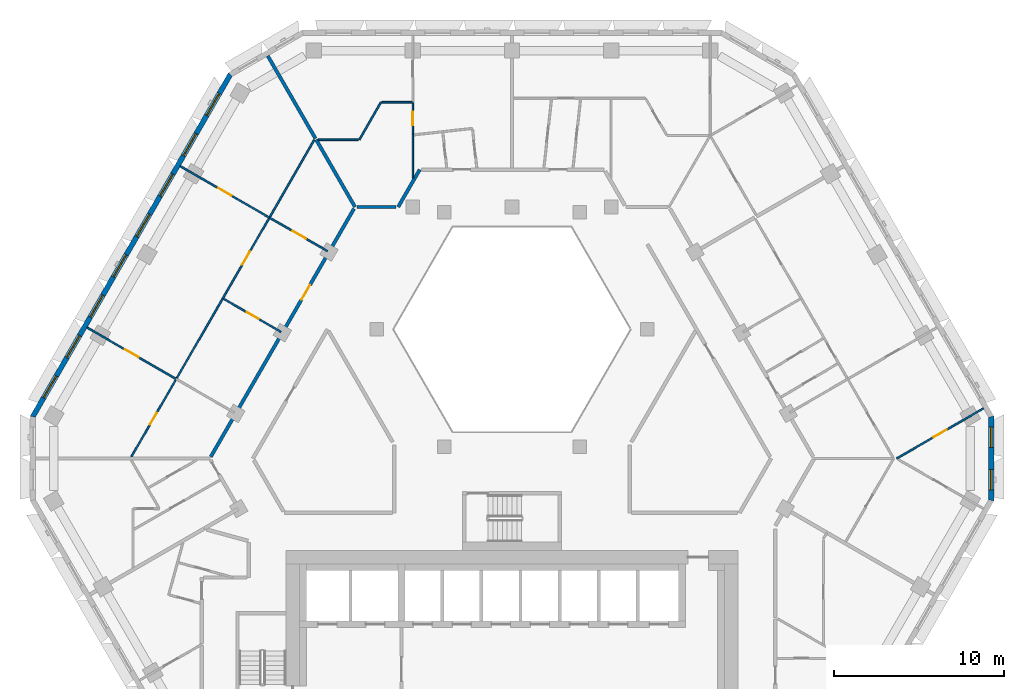
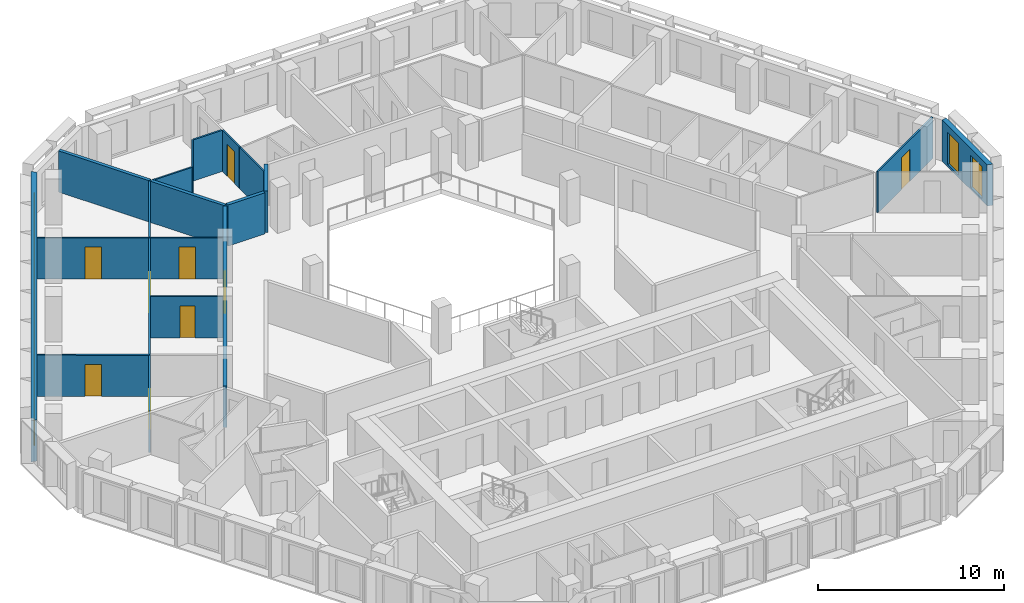
# One storey, part 7 of 17: 18 walls, 10 windows, 9 doors, 19 openings.
"""IFC4 building model written with IfcOpenShell, lengths in metres."""

from ifc_helpers import new_model, si_unit, direction, frame, frame_2d, origin, place, context, subcontext, project, spatial, polyline, rectangle, outline, extrude, material, layer, layer_set, type_object, element, fill, save


model = new_model("IFC4")

# Units and contexts
model_context = context("Model", 3, precision=1e-05, world=origin(), true_north=direction((0.0, 1.0)))
body_context = subcontext(model_context, "Body", "Model", "MODEL_VIEW")
ifc_project = project(units=[si_unit("LENGTHUNIT", "METRE"), si_unit("AREAUNIT", "SQUARE_METRE"), si_unit("VOLUMEUNIT", "CUBIC_METRE"), si_unit("PLANEANGLEUNIT", "RADIAN"), si_unit("MASSUNIT", "GRAM", prefix="KILO")], contexts=[model_context])

# Site, building, storey
site_placement = place(None, origin())
site = spatial("IfcSite", under=ifc_project, at=site_placement, CompositionType="ELEMENT")
building_placement = place(site_placement, origin())
building = spatial("IfcBuilding", under=site, at=building_placement, Name="Beryl Residences", CompositionType="ELEMENT")
storey_placement = place(building_placement, frame((0.0, 0.0, 144.60009765625)))
storey = spatial("IfcBuildingStorey", under=building, at=storey_placement, Name="L44", CompositionType="ELEMENT", Elevation=144.60009765625)

# Wall, openings, windows
ifc_material_1 = material(Name="Composite metal panel with mineral wool insulation")
ifc_layer_1 = layer(ifc_material_1, 0.300048828125)
ifc_layer_set_1 = layer_set([ifc_layer_1], Name="ES1 pale metal composite panel wall 300 mm")
wall_type_1 = type_object("IfcWallType", Name="ES1 pale metal composite panel wall 300 mm", PredefinedType="SOLIDWALL", material=ifc_layer_set_1)
wall_1_placement = place(storey_placement, frame((-16.554931640625, 23.02490234375, 0.0), z_axis=(0.0, 0.0, 1.0), x_axis=(-0.500020536353, -0.866013546791, 0.0)))
wall_1 = element("IfcWall", 1, at=wall_1_placement, inside=storey, type_object=wall_type_1, Name="ES1 external wall L44 NW", PredefinedType="SOLIDWALL", context=body_context, shape_type="SweptSolid", body=[
    extrude(outline(polyline([(0.0, -0.14990234375), (23.3251953125, -0.14990234375), (23.244873046875, 0.14990234375), (0.080322265625, 0.14990234375), (0.0, -0.14990234375)])), origin(), (0.0, 0.0, 1.0), 2.699951171875),
])
opening_1_placement = place(wall_1_placement, frame((1.31396484375, 0.0, 0.14990234375)))
opening_1 = element("IfcOpeningElement", 2, at=opening_1_placement, cuts=wall_1, Name="Opening W1", PredefinedType="OPENING", context=body_context, shape_type="SweptSolid", body=[
    extrude(rectangle(XDim=1.5, YDim=2.10009765625, at=frame_2d((0.75, 1.050048828125))), frame((0.0, 0.159912109375, 0.0), z_axis=(0.0, -1.0, 0.0), x_axis=(1.0, 0.0, 0.0)), (0.0, 0.0, 1.0), 0.320068359375),
])
opening_2_placement = place(wall_1_placement, frame((4.055908203125, 0.0, 0.14990234375)))
opening_2 = element("IfcOpeningElement", 3, at=opening_2_placement, cuts=wall_1, Name="Opening W1", PredefinedType="OPENING", context=body_context, shape_type="SweptSolid", body=[
    extrude(rectangle(XDim=1.5, YDim=2.10009765625, at=frame_2d((0.75, 1.050048828125))), frame((0.0, 0.159912109375, 0.0), z_axis=(0.0, -1.0, 0.0), x_axis=(1.0, 0.0, 0.0)), (0.0, 0.0, 1.0), 0.320068359375),
])
opening_3_placement = place(wall_1_placement, frame((6.799072265625, 0.0, 0.14990234375)))
opening_3 = element("IfcOpeningElement", 4, at=opening_3_placement, cuts=wall_1, Name="Opening W1", PredefinedType="OPENING", context=body_context, shape_type="SweptSolid", body=[
    extrude(rectangle(XDim=1.5, YDim=2.10009765625, at=frame_2d((0.75, 1.050048828125))), frame((0.0, 0.159912109375, 0.0), z_axis=(0.0, -1.0, 0.0), x_axis=(1.0, 0.0, 0.0)), (0.0, 0.0, 1.0), 0.320068359375),
])
opening_4_placement = place(wall_1_placement, frame((9.541015625, 0.0, 0.14990234375)))
opening_4 = element("IfcOpeningElement", 5, at=opening_4_placement, cuts=wall_1, Name="Opening W1", PredefinedType="OPENING", context=body_context, shape_type="SweptSolid", body=[
    extrude(rectangle(XDim=1.5, YDim=2.10009765625, at=frame_2d((0.75, 1.050048828125))), frame((0.0, 0.159912109375, 0.0), z_axis=(0.0, -1.0, 0.0), x_axis=(1.0, 0.0, 0.0)), (0.0, 0.0, 1.0), 0.320068359375),
])
opening_5_placement = place(wall_1_placement, frame((12.284912109375, 0.0, 0.14990234375)))
opening_5 = element("IfcOpeningElement", 6, at=opening_5_placement, cuts=wall_1, Name="Opening W1", PredefinedType="OPENING", context=body_context, shape_type="SweptSolid", body=[
    extrude(rectangle(XDim=1.5, YDim=2.10009765625, at=frame_2d((0.75, 1.050048828125))), frame((0.0, 0.159912109375, 0.0), z_axis=(0.0, -1.0, 0.0), x_axis=(1.0, 0.0, 0.0)), (0.0, 0.0, 1.0), 0.320068359375),
])
opening_6_placement = place(wall_1_placement, frame((15.027099609375, 0.0, 0.14990234375)))
opening_6 = element("IfcOpeningElement", 7, at=opening_6_placement, cuts=wall_1, Name="Opening W1", PredefinedType="OPENING", context=body_context, shape_type="SweptSolid", body=[
    extrude(rectangle(XDim=1.5, YDim=2.10009765625, at=frame_2d((0.75, 1.050048828125))), frame((0.0, 0.159912109375, 0.0), z_axis=(0.0, -1.0, 0.0), x_axis=(1.0, 0.0, 0.0)), (0.0, 0.0, 1.0), 0.320068359375),
])
opening_7_placement = place(wall_1_placement, frame((17.76904296875, 0.0, 0.14990234375)))
opening_7 = element("IfcOpeningElement", 8, at=opening_7_placement, cuts=wall_1, Name="Opening W1", PredefinedType="OPENING", context=body_context, shape_type="SweptSolid", body=[
    extrude(rectangle(XDim=1.5, YDim=2.10009765625, at=frame_2d((0.75, 1.050048828125))), frame((0.0, 0.159912109375, 0.0), z_axis=(0.0, -1.0, 0.0), x_axis=(1.0, 0.0, 0.0)), (0.0, 0.0, 1.0), 0.320068359375),
])
opening_8_placement = place(wall_1_placement, frame((20.511962890625, 0.0, 0.14990234375)))
opening_8 = element("IfcOpeningElement", 9, at=opening_8_placement, cuts=wall_1, Name="Opening W1", PredefinedType="OPENING", context=body_context, shape_type="SweptSolid", body=[
    extrude(rectangle(XDim=1.5, YDim=2.10009765625, at=frame_2d((0.75, 1.050048828125))), frame((0.0, 0.159912109375, 0.0), z_axis=(0.0, -1.0, 0.0), x_axis=(1.0, 0.0, 0.0)), (0.0, 0.0, 1.0), 0.320068359375),
])
ifc_material_2 = material(Name="Aluminium and clear glass", Category="aluminium")
window_type_1 = type_object("IfcWindowType", Name="W1 cell window 1500 x 2100 mm", PartitioningType="SINGLE_PANEL", PredefinedType="WINDOW", material=ifc_material_2)
window_1_placement = place(opening_1_placement, origin())
window_1 = element("IfcWindow", 10, at=window_1_placement, inside=storey, type_object=window_type_1, Name="W1 window L44 NW 1", OverallHeight=2.10009765625, OverallWidth=1.5, PartitioningType="SINGLE_PANEL", PredefinedType="WINDOW", context=body_context, shape_type="SweptSolid", body=[
    extrude(rectangle(XDim=1.5, YDim=2.10009765625, at=frame_2d((0.75, 1.050048828125))), frame((0.0, 0.030029296875, 0.0), z_axis=(0.0, -1.0, 0.0), x_axis=(1.0, 0.0, 0.0)), (0.0, 0.0, 1.0), 0.06005859375),
])
fill(opening_1, window_1)
window_2_placement = place(opening_2_placement, origin())
window_2 = element("IfcWindow", 11, at=window_2_placement, inside=storey, type_object=window_type_1, Name="W1 window L44 NW 2", OverallHeight=2.10009765625, OverallWidth=1.5, PartitioningType="SINGLE_PANEL", PredefinedType="WINDOW", context=body_context, shape_type="SweptSolid", body=[
    extrude(rectangle(XDim=1.5, YDim=2.10009765625, at=frame_2d((0.75, 1.050048828125))), frame((0.0, 0.030029296875, 0.0), z_axis=(0.0, -1.0, 0.0), x_axis=(1.0, 0.0, 0.0)), (0.0, 0.0, 1.0), 0.06005859375),
])
fill(opening_2, window_2)
window_3_placement = place(opening_3_placement, origin())
window_3 = element("IfcWindow", 12, at=window_3_placement, inside=storey, type_object=window_type_1, Name="W1 window L44 NW 3", OverallHeight=2.10009765625, OverallWidth=1.5, PartitioningType="SINGLE_PANEL", PredefinedType="WINDOW", context=body_context, shape_type="SweptSolid", body=[
    extrude(rectangle(XDim=1.5, YDim=2.10009765625, at=frame_2d((0.75, 1.050048828125))), frame((0.0, 0.030029296875, 0.0), z_axis=(0.0, -1.0, 0.0), x_axis=(1.0, 0.0, 0.0)), (0.0, 0.0, 1.0), 0.06005859375),
])
fill(opening_3, window_3)
window_4_placement = place(opening_4_placement, origin())
window_4 = element("IfcWindow", 13, at=window_4_placement, inside=storey, type_object=window_type_1, Name="W1 window L44 NW 4", OverallHeight=2.10009765625, OverallWidth=1.5, PartitioningType="SINGLE_PANEL", PredefinedType="WINDOW", context=body_context, shape_type="SweptSolid", body=[
    extrude(rectangle(XDim=1.5, YDim=2.10009765625, at=frame_2d((0.75, 1.050048828125))), frame((0.0, 0.030029296875, 0.0), z_axis=(0.0, -1.0, 0.0), x_axis=(1.0, 0.0, 0.0)), (0.0, 0.0, 1.0), 0.06005859375),
])
fill(opening_4, window_4)
window_5_placement = place(opening_5_placement, origin())
window_5 = element("IfcWindow", 14, at=window_5_placement, inside=storey, type_object=window_type_1, Name="W1 window L44 NW 5", OverallHeight=2.10009765625, OverallWidth=1.5, PartitioningType="SINGLE_PANEL", PredefinedType="WINDOW", context=body_context, shape_type="SweptSolid", body=[
    extrude(rectangle(XDim=1.5, YDim=2.10009765625, at=frame_2d((0.75, 1.050048828125))), frame((0.0, 0.030029296875, 0.0), z_axis=(0.0, -1.0, 0.0), x_axis=(1.0, 0.0, 0.0)), (0.0, 0.0, 1.0), 0.06005859375),
])
fill(opening_5, window_5)
window_6_placement = place(opening_6_placement, origin())
window_6 = element("IfcWindow", 15, at=window_6_placement, inside=storey, type_object=window_type_1, Name="W1 window L44 NW 6", OverallHeight=2.10009765625, OverallWidth=1.5, PartitioningType="SINGLE_PANEL", PredefinedType="WINDOW", context=body_context, shape_type="SweptSolid", body=[
    extrude(rectangle(XDim=1.5, YDim=2.10009765625, at=frame_2d((0.75, 1.050048828125))), frame((0.0, 0.030029296875, 0.0), z_axis=(0.0, -1.0, 0.0), x_axis=(1.0, 0.0, 0.0)), (0.0, 0.0, 1.0), 0.06005859375),
])
fill(opening_6, window_6)
window_7_placement = place(opening_7_placement, origin())
window_7 = element("IfcWindow", 16, at=window_7_placement, inside=storey, type_object=window_type_1, Name="W1 window L44 NW 7", OverallHeight=2.10009765625, OverallWidth=1.5, PartitioningType="SINGLE_PANEL", PredefinedType="WINDOW", context=body_context, shape_type="SweptSolid", body=[
    extrude(rectangle(XDim=1.5, YDim=2.10009765625, at=frame_2d((0.75, 1.050048828125))), frame((0.0, 0.030029296875, 0.0), z_axis=(0.0, -1.0, 0.0), x_axis=(1.0, 0.0, 0.0)), (0.0, 0.0, 1.0), 0.06005859375),
])
fill(opening_7, window_7)
window_8_placement = place(opening_8_placement, origin())
window_8 = element("IfcWindow", 17, at=window_8_placement, inside=storey, type_object=window_type_1, Name="W1 window L44 NW 8", OverallHeight=2.10009765625, OverallWidth=1.5, PartitioningType="SINGLE_PANEL", PredefinedType="WINDOW", context=body_context, shape_type="SweptSolid", body=[
    extrude(rectangle(XDim=1.5, YDim=2.10009765625, at=frame_2d((0.75, 1.050048828125))), frame((0.0, 0.030029296875, 0.0), z_axis=(0.0, -1.0, 0.0), x_axis=(1.0, 0.0, 0.0)), (0.0, 0.0, 1.0), 0.06005859375),
])
fill(opening_8, window_8)

wall_2_placement = place(storey_placement, frame((28.197998046875, -2.10009765625, 0.0), z_axis=(0.0, 0.0, 1.0), x_axis=(0.0, 1.0, 0.0)))
wall_2 = element("IfcWall", 18, at=wall_2_placement, inside=storey, type_object=wall_type_1, Name="ES1 external wall L44 SE-NE", PredefinedType="SOLIDWALL", context=body_context, shape_type="SweptSolid", body=[
    extrude(outline(polyline([(0.0, -0.14990234375), (5.0, -0.14990234375), (4.919677734375, 0.14990234375), (0.080322265625, 0.14990234375), (0.0, -0.14990234375)])), origin(), (0.0, 0.0, 1.0), 2.699951171875),
])
opening_9_placement = place(wall_2_placement, frame((0.64990234375, 0.0, 0.14990234375)))
opening_9 = element("IfcOpeningElement", 19, at=opening_9_placement, cuts=wall_2, Name="Opening W2", PredefinedType="OPENING", context=body_context, shape_type="SweptSolid", body=[
    extrude(rectangle(XDim=1.199951171875, YDim=2.10009765625, at=frame_2d((0.60009765625, 1.050048828125))), frame((0.0, 0.159912109375, 0.0), z_axis=(0.0, -1.0, 0.0), x_axis=(1.0, 0.0, 0.0)), (0.0, 0.0, 1.0), 0.320068359375),
])
opening_10_placement = place(wall_2_placement, frame((3.14990234375, 0.0, 0.14990234375)))
opening_10 = element("IfcOpeningElement", 20, at=opening_10_placement, cuts=wall_2, Name="Opening W2", PredefinedType="OPENING", context=body_context, shape_type="SweptSolid", body=[
    extrude(rectangle(XDim=1.199951171875, YDim=2.10009765625, at=frame_2d((0.60009765625, 1.050048828125))), frame((0.0, 0.159912109375, 0.0), z_axis=(0.0, -1.0, 0.0), x_axis=(1.0, 0.0, 0.0)), (0.0, 0.0, 1.0), 0.320068359375),
])
ifc_material_3 = material(Name="Aluminium and clear glass", Category="aluminium")
window_type_2 = type_object("IfcWindowType", Name="W2 chamfer window 1200 x 2100 mm", PartitioningType="SINGLE_PANEL", PredefinedType="WINDOW", material=ifc_material_3)
window_9_placement = place(opening_9_placement, origin())
window_9 = element("IfcWindow", 21, at=window_9_placement, inside=storey, type_object=window_type_2, Name="W2 window L44 SE-NE 1", OverallHeight=2.10009765625, OverallWidth=1.199951171875, PartitioningType="SINGLE_PANEL", PredefinedType="WINDOW", context=body_context, shape_type="SweptSolid", body=[
    extrude(rectangle(XDim=1.199951171875, YDim=2.10009765625, at=frame_2d((0.60009765625, 1.050048828125))), frame((0.0, 0.030029296875, 0.0), z_axis=(0.0, -1.0, 0.0), x_axis=(1.0, 0.0, 0.0)), (0.0, 0.0, 1.0), 0.06005859375),
])
fill(opening_9, window_9)
window_10_placement = place(opening_10_placement, origin())
window_10 = element("IfcWindow", 22, at=window_10_placement, inside=storey, type_object=window_type_2, Name="W2 window L44 SE-NE 2", OverallHeight=2.10009765625, OverallWidth=1.199951171875, PartitioningType="SINGLE_PANEL", PredefinedType="WINDOW", context=body_context, shape_type="SweptSolid", body=[
    extrude(rectangle(XDim=1.199951171875, YDim=2.10009765625, at=frame_2d((0.60009765625, 1.050048828125))), frame((0.0, 0.030029296875, 0.0), z_axis=(0.0, -1.0, 0.0), x_axis=(1.0, 0.0, 0.0)), (0.0, 0.0, 1.0), 0.06005859375),
])
fill(opening_10, window_10)

# Wall, opening, door
ifc_material_4 = material(Name="Gypsum board partition on steel studs", Category="steel")
ifc_layer_2 = layer(ifc_material_4, 0.10009765625)
ifc_layer_set_2 = layer_set([ifc_layer_2], Name="PT1 partition 100 mm gypsum board on steel studs")
wall_type_2 = type_object("IfcWallType", Name="PT1 partition 100 mm gypsum board on steel studs", PredefinedType="PARTITIONING", material=ifc_layer_set_2)
wall_3_placement = place(storey_placement, frame((-5.8310546875, 21.324951171875, 0.0), z_axis=(0.0, 0.0, 1.0), x_axis=(0.0, -1.0, 0.0)))
wall_3 = element("IfcWall", 23, at=wall_3_placement, inside=storey, type_object=wall_type_2, Name="Wall PT1 L44 007", PredefinedType="PARTITIONING", context=body_context, shape_type="SweptSolid", body=[
    extrude(rectangle(XDim=1.8388671875, YDim=0.10009765625, at=frame_2d((0.91943359375, 0.0))), origin(), (0.0, 0.0, 1.0), 2.699951171875),
])
opening_11_placement = place(wall_3_placement, frame((0.51904296875, 0.0, 0.0)))
opening_11 = element("IfcOpeningElement", 24, at=opening_11_placement, cuts=wall_3, Name="Opening D1142", PredefinedType="OPENING", context=body_context, shape_type="SweptSolid", body=[
    extrude(rectangle(XDim=0.800048828125, YDim=2.10009765625, at=frame_2d((0.39990234375, 1.050048828125))), frame((0.0, 0.06005859375, 0.0), z_axis=(0.0, -1.0, 0.0), x_axis=(1.0, 0.0, 0.0)), (0.0, 0.0, 1.0), 0.1201171875),
])
ifc_material_5 = material(Name="Timber door leaf", Category="wood")
door_type_1 = type_object("IfcDoorType", Name="D3 bathroom door 800 x 2100 mm", OperationType="SINGLE_SWING_LEFT", PredefinedType="DOOR", material=ifc_material_5)
door_1_placement = place(opening_11_placement, origin())
door_1 = element("IfcDoor", 25, at=door_1_placement, inside=storey, type_object=door_type_1, Name="Door D1142 L44 001", OperationType="SINGLE_SWING_RIGHT", OverallHeight=2.10009765625, OverallWidth=0.800048828125, PredefinedType="DOOR", context=body_context, shape_type="SweptSolid", body=[
    extrude(rectangle(XDim=0.800048828125, YDim=2.10009765625, at=frame_2d((0.39990234375, 1.050048828125))), frame((0.0, 0.02490234375, 0.0), z_axis=(0.0, -1.0, 0.0), x_axis=(1.0, 0.0, 0.0)), (0.0, 0.0, 1.0), 0.050048828125),
])
fill(opening_11, door_1)

wall_4_placement = place(storey_placement, frame((-24.9990234375, 8.10009765625, 0.0), z_axis=(0.0, 0.0, 1.0), x_axis=(0.865978029808, -0.500082045158, 0.0)))
wall_4 = element("IfcWall", 26, at=wall_4_placement, inside=storey, type_object=wall_type_2, Name="Wall PT1 L44 013", PredefinedType="PARTITIONING", context=body_context, shape_type="SweptSolid", body=[
    extrude(rectangle(XDim=6.05322265625, YDim=0.10009765625, at=frame_2d((3.026611328125, 0.0))), origin(), (0.0, 0.0, 1.0), 2.699951171875),
])
opening_12_placement = place(wall_4_placement, frame((2.576904296875, 0.0, 0.0)))
opening_12 = element("IfcOpeningElement", 27, at=opening_12_placement, cuts=wall_4, Name="Opening D1147", PredefinedType="OPENING", context=body_context, shape_type="SweptSolid", body=[
    extrude(rectangle(XDim=0.89990234375, YDim=2.10009765625, at=frame_2d((0.449951171875, 1.050048828125))), frame((0.0, 0.06005859375, 0.0), z_axis=(0.0, -1.0, 0.0), x_axis=(1.0, 0.0, 0.0)), (0.0, 0.0, 1.0), 0.1201171875),
])
ifc_material_6 = material(Name="Timber door leaf", Category="wood")
door_type_2 = type_object("IfcDoorType", Name="D2 room door 900 x 2100 mm", OperationType="SINGLE_SWING_LEFT", PredefinedType="DOOR", material=ifc_material_6)
door_2_placement = place(opening_12_placement, origin())
door_2 = element("IfcDoor", 28, at=door_2_placement, inside=storey, type_object=door_type_2, Name="Door D1147 L44 001", OperationType="SINGLE_SWING_LEFT", OverallHeight=2.10009765625, OverallWidth=0.89990234375, PredefinedType="DOOR", context=body_context, shape_type="SweptSolid", body=[
    extrude(rectangle(XDim=0.89990234375, YDim=2.10009765625, at=frame_2d((0.449951171875, 1.050048828125))), frame((0.0, 0.02490234375, 0.0), z_axis=(0.0, -1.0, 0.0), x_axis=(1.0, 0.0, 0.0)), (0.0, 0.0, 1.0), 0.050048828125),
])
fill(opening_12, door_2)

wall_5_placement = place(storey_placement, frame((-16.970947265625, 9.798095703125, 0.0), z_axis=(0.0, 0.0, 1.0), x_axis=(0.866087525071, -0.499892387336, 0.0)))
wall_5 = element("IfcWall", 29, at=wall_5_placement, inside=storey, type_object=wall_type_2, Name="Wall PT1 L44 015", PredefinedType="PARTITIONING", context=body_context, shape_type="SweptSolid", body=[
    extrude(rectangle(XDim=3.896728515625, YDim=0.10009765625, at=frame_2d((1.9482421875, 0.0))), origin(), (0.0, 0.0, 1.0), 2.699951171875),
])
opening_13_placement = place(wall_5_placement, frame((1.573974609375, 0.0, 0.0)))
opening_13 = element("IfcOpeningElement", 30, at=opening_13_placement, cuts=wall_5, Name="Opening D1146", PredefinedType="OPENING", context=body_context, shape_type="SweptSolid", body=[
    extrude(rectangle(XDim=0.800048828125, YDim=2.10009765625, at=frame_2d((0.39990234375, 1.050048828125))), frame((0.0, 0.06005859375, 0.0), z_axis=(0.0, -1.0, 0.0), x_axis=(1.0, 0.0, 0.0)), (0.0, 0.0, 1.0), 0.1201171875),
])
door_3_placement = place(opening_13_placement, origin())
door_3 = element("IfcDoor", 31, at=door_3_placement, inside=storey, type_object=door_type_1, Name="Door D1146 L44 001", OperationType="SINGLE_SWING_RIGHT", OverallHeight=2.10009765625, OverallWidth=0.800048828125, PredefinedType="DOOR", context=body_context, shape_type="SweptSolid", body=[
    extrude(rectangle(XDim=0.800048828125, YDim=2.10009765625, at=frame_2d((0.39990234375, 1.050048828125))), frame((0.0, 0.02490234375, 0.0), z_axis=(0.0, -1.0, 0.0), x_axis=(1.0, 0.0, 0.0)), (0.0, 0.0, 1.0), 0.050048828125),
])
fill(opening_13, door_3)

wall_6_placement = place(storey_placement, frame((-19.513916015625, 17.59912109375, 0.0), z_axis=(0.0, 0.0, 1.0), x_axis=(0.866007554612, -0.500030914399, 0.0)))
wall_6 = element("IfcWall", 32, at=wall_6_placement, inside=storey, type_object=wall_type_2, Name="Wall PT1 L44 017", PredefinedType="PARTITIONING", context=body_context, shape_type="SweptSolid", body=[
    extrude(rectangle(XDim=6.0517578125, YDim=0.10009765625, at=frame_2d((3.02587890625, 0.0))), origin(), (0.0, 0.0, 1.0), 2.699951171875),
])
opening_14_placement = place(wall_6_placement, frame((2.575927734375, 0.0, 0.0)))
opening_14 = element("IfcOpeningElement", 33, at=opening_14_placement, cuts=wall_6, Name="Opening D1148", PredefinedType="OPENING", context=body_context, shape_type="SweptSolid", body=[
    extrude(rectangle(XDim=0.89990234375, YDim=2.10009765625, at=frame_2d((0.449951171875, 1.050048828125))), frame((0.0, 0.06005859375, 0.0), z_axis=(0.0, -1.0, 0.0), x_axis=(1.0, 0.0, 0.0)), (0.0, 0.0, 1.0), 0.1201171875),
])
door_4_placement = place(opening_14_placement, origin())
door_4 = element("IfcDoor", 34, at=door_4_placement, inside=storey, type_object=door_type_2, Name="Door D1148 L44 001", OperationType="SINGLE_SWING_RIGHT", OverallHeight=2.10009765625, OverallWidth=0.89990234375, PredefinedType="DOOR", context=body_context, shape_type="SweptSolid", body=[
    extrude(rectangle(XDim=0.89990234375, YDim=2.10009765625, at=frame_2d((0.449951171875, 1.050048828125))), frame((0.0, 0.02490234375, 0.0), z_axis=(0.0, -1.0, 0.0), x_axis=(1.0, 0.0, 0.0)), (0.0, 0.0, 1.0), 0.050048828125),
])
fill(opening_14, door_4)

# Walls
wall_7_placement = place(storey_placement, frame((-11.405029296875, 19.155029296875, 0.0), z_axis=(0.0, 0.0, 1.0), x_axis=(1.0, 0.0, 0.0)))
element("IfcWall", 35, at=wall_7_placement, inside=storey, type_object=wall_type_2, Name="Wall PT1 L44 025", PredefinedType="PARTITIONING", context=body_context, shape_type="SweptSolid", body=[
    extrude(rectangle(XDim=2.366943359375, YDim=0.10009765625, at=frame_2d((1.18359375, 0.0))), origin(), (0.0, 0.0, 1.0), 2.699951171875),
])
wall_8_placement = place(storey_placement, frame((-7.652099609375, 21.35498046875, 0.0), z_axis=(0.0, 0.0, 1.0), x_axis=(1.0, 0.0, 0.0)))
element("IfcWall", 36, at=wall_8_placement, inside=storey, type_object=wall_type_2, Name="Wall PT1 L44 027", PredefinedType="PARTITIONING", context=body_context, shape_type="SweptSolid", body=[
    extrude(rectangle(XDim=1.77099609375, YDim=0.10009765625, at=frame_2d((0.885498046875, 0.0))), origin(), (0.0, 0.0, 1.0), 2.699951171875),
])
wall_9_placement = place(storey_placement, frame((-8.98095703125, 19.155029296875, 0.0), z_axis=(0.0, 0.0, 1.0), x_axis=(0.500130227609, 0.865950203783, 0.0)))
element("IfcWall", 37, at=wall_9_placement, inside=storey, type_object=wall_type_2, Name="Wall PT1 L44 032", PredefinedType="PARTITIONING", context=body_context, shape_type="SweptSolid", body=[
    extrude(rectangle(XDim=2.539306640625, YDim=0.10009765625, at=frame_2d((1.26953125, 0.0))), origin(), (0.0, 0.0, 1.0), 2.699951171875),
])

# Wall, openings, doors
wall_10_placement = place(storey_placement, frame((-22.39794921875, 0.4990234375, 0.0), z_axis=(0.0, 0.0, 1.0), x_axis=(0.499981561717, 0.866036048871, 0.0)))
wall_10 = element("IfcWall", 38, at=wall_10_placement, inside=storey, type_object=wall_type_2, Name="Wall PT1 L44 033", PredefinedType="PARTITIONING", context=body_context, shape_type="SweptSolid", body=[
    extrude(rectangle(XDim=21.532470703125, YDim=0.10009765625, at=frame_2d((10.76611328125, 0.0))), origin(), (0.0, 0.0, 1.0), 2.699951171875),
])
opening_15_placement = place(wall_10_placement, frame((13.049072265625, 0.0, 0.0)))
opening_15 = element("IfcOpeningElement", 39, at=opening_15_placement, cuts=wall_10, Name="Opening D1144", PredefinedType="OPENING", context=body_context, shape_type="SweptSolid", body=[
    extrude(rectangle(XDim=0.89990234375, YDim=2.10009765625, at=frame_2d((0.449951171875, 1.050048828125))), frame((0.0, 0.06005859375, 0.0), z_axis=(0.0, -1.0, 0.0), x_axis=(1.0, 0.0, 0.0)), (0.0, 0.0, 1.0), 0.1201171875),
])
opening_16_placement = place(wall_10_placement, frame((2.18310546875, 0.0, 0.0)))
opening_16 = element("IfcOpeningElement", 40, at=opening_16_placement, cuts=wall_10, Name="Opening D1149", PredefinedType="OPENING", context=body_context, shape_type="SweptSolid", body=[
    extrude(rectangle(XDim=0.800048828125, YDim=2.10009765625, at=frame_2d((0.39990234375, 1.050048828125))), frame((0.0, 0.06005859375, 0.0), z_axis=(0.0, -1.0, 0.0), x_axis=(1.0, 0.0, 0.0)), (0.0, 0.0, 1.0), 0.1201171875),
])
door_5_placement = place(opening_15_placement, origin())
door_5 = element("IfcDoor", 41, at=door_5_placement, inside=storey, type_object=door_type_2, Name="Door D1144 L44 001", OperationType="SINGLE_SWING_RIGHT", OverallHeight=2.10009765625, OverallWidth=0.89990234375, PredefinedType="DOOR", context=body_context, shape_type="SweptSolid", body=[
    extrude(rectangle(XDim=0.89990234375, YDim=2.10009765625, at=frame_2d((0.449951171875, 1.050048828125))), frame((0.0, 0.02490234375, 0.0), z_axis=(0.0, -1.0, 0.0), x_axis=(1.0, 0.0, 0.0)), (0.0, 0.0, 1.0), 0.050048828125),
])
fill(opening_15, door_5)
door_6_placement = place(opening_16_placement, origin())
door_6 = element("IfcDoor", 42, at=door_6_placement, inside=storey, type_object=door_type_1, Name="Door D1149 L44 001", OperationType="SINGLE_SWING_LEFT", OverallHeight=2.10009765625, OverallWidth=0.800048828125, PredefinedType="DOOR", context=body_context, shape_type="SweptSolid", body=[
    extrude(rectangle(XDim=0.800048828125, YDim=2.10009765625, at=frame_2d((0.39990234375, 1.050048828125))), frame((0.0, 0.02490234375, 0.0), z_axis=(0.0, -1.0, 0.0), x_axis=(1.0, 0.0, 0.0)), (0.0, 0.0, 1.0), 0.050048828125),
])
fill(opening_16, door_6)

# Wall
wall_11_placement = place(storey_placement, frame((-5.8310546875, 16.903076171875, 0.0), z_axis=(0.0, 0.0, 1.0), x_axis=(0.0, 1.0, 0.0)))
element("IfcWall", 43, at=wall_11_placement, inside=storey, type_object=wall_type_2, Name="Wall PT1 L44 045", PredefinedType="PARTITIONING", context=body_context, shape_type="SweptSolid", body=[
    extrude(rectangle(XDim=2.552978515625, YDim=0.10009765625, at=frame_2d((1.2763671875, 0.0))), origin(), (0.0, 0.0, 1.0), 2.699951171875),
])

# Wall, opening, door
wall_12_placement = place(storey_placement, frame((22.634033203125, 0.40087890625, 0.0), z_axis=(0.0, 0.0, 1.0), x_axis=(0.86601325737, 0.500021037617, 0.0)))
wall_12 = element("IfcWall", 44, at=wall_12_placement, inside=storey, type_object=wall_type_2, Name="Wall PT1 L44 051", PredefinedType="PARTITIONING", context=body_context, shape_type="SweptSolid", body=[
    extrude(rectangle(XDim=5.898193359375, YDim=0.10009765625, at=frame_2d((2.94921875, 0.0))), origin(), (0.0, 0.0, 1.0), 2.699951171875),
])
opening_17_placement = place(wall_12_placement, frame((2.4990234375, 0.0, 0.0)))
opening_17 = element("IfcOpeningElement", 45, at=opening_17_placement, cuts=wall_12, Name="Opening D1126", PredefinedType="OPENING", context=body_context, shape_type="SweptSolid", body=[
    extrude(rectangle(XDim=0.89990234375, YDim=2.10009765625, at=frame_2d((0.449951171875, 1.050048828125))), frame((0.0, 0.06005859375, 0.0), z_axis=(0.0, -1.0, 0.0), x_axis=(1.0, 0.0, 0.0)), (0.0, 0.0, 1.0), 0.1201171875),
])
door_7_placement = place(opening_17_placement, origin())
door_7 = element("IfcDoor", 46, at=door_7_placement, inside=storey, type_object=door_type_2, Name="Door D1126 L44 001", OperationType="SINGLE_SWING_RIGHT", OverallHeight=2.10009765625, OverallWidth=0.89990234375, PredefinedType="DOOR", context=body_context, shape_type="SweptSolid", body=[
    extrude(rectangle(XDim=0.89990234375, YDim=2.10009765625, at=frame_2d((0.449951171875, 1.050048828125))), frame((0.0, 0.02490234375, 0.0), z_axis=(0.0, -1.0, 0.0), x_axis=(1.0, 0.0, 0.0)), (0.0, 0.0, 1.0), 0.050048828125),
])
fill(opening_17, door_7)

wall_13_placement = place(storey_placement, frame((-14.27294921875, 14.572998046875, 0.0), z_axis=(0.0, 0.0, 1.0), x_axis=(0.866138216955, -0.499804550929, 0.0)))
wall_13 = element("IfcWall", 47, at=wall_13_placement, inside=storey, type_object=wall_type_2, Name="Wall PT1 L44 061", PredefinedType="PARTITIONING", context=body_context, shape_type="SweptSolid", body=[
    extrude(rectangle(XDim=3.947265625, YDim=0.10009765625, at=frame_2d((1.9736328125, 0.0))), origin(), (0.0, 0.0, 1.0), 2.699951171875),
])
opening_18_placement = place(wall_13_placement, frame((1.573974609375, 0.0, 0.0)))
opening_18 = element("IfcOpeningElement", 48, at=opening_18_placement, cuts=wall_13, Name="Opening D1145", PredefinedType="OPENING", context=body_context, shape_type="SweptSolid", body=[
    extrude(rectangle(XDim=0.89990234375, YDim=2.10009765625, at=frame_2d((0.449951171875, 1.050048828125))), frame((0.0, 0.06005859375, 0.0), z_axis=(0.0, -1.0, 0.0), x_axis=(1.0, 0.0, 0.0)), (0.0, 0.0, 1.0), 0.1201171875),
])
door_8_placement = place(opening_18_placement, origin())
door_8 = element("IfcDoor", 49, at=door_8_placement, inside=storey, type_object=door_type_2, Name="Door D1145 L44 001", OperationType="SINGLE_SWING_LEFT", OverallHeight=2.10009765625, OverallWidth=0.89990234375, PredefinedType="DOOR", context=body_context, shape_type="SweptSolid", body=[
    extrude(rectangle(XDim=0.89990234375, YDim=2.10009765625, at=frame_2d((0.449951171875, 1.050048828125))), frame((0.0, 0.02490234375, 0.0), z_axis=(0.0, -1.0, 0.0), x_axis=(1.0, 0.0, 0.0)), (0.0, 0.0, 1.0), 0.050048828125),
])
fill(opening_18, door_8)

# Walls
ifc_material_7 = material(Name="Acoustic double stud gypsum board wall")
ifc_layer_3 = layer(ifc_material_7, 0.199951171875)
ifc_layer_set_3 = layer_set([ifc_layer_3], Name="PT3 party wall 200 mm acoustic double stud")
wall_type_3 = type_object("IfcWallType", Name="PT3 party wall 200 mm acoustic double stud", PredefinedType="PARTITIONING", material=ifc_layer_set_3)
wall_14_placement = place(storey_placement, frame((-14.3701171875, 24.090087890625, 0.0), z_axis=(0.0, 0.0, 1.0), x_axis=(0.500057386422, -0.865992269183, 0.0)))
element("IfcWall", 50, at=wall_14_placement, inside=storey, type_object=wall_type_3, Name="Wall PT3 L44 001", PredefinedType="PARTITIONING", context=body_context, shape_type="SweptSolid", body=[
    extrude(rectangle(XDim=5.615478515625, YDim=0.199951171875, at=frame_2d((2.8076171875, 0.0))), origin(), (0.0, 0.0, 1.0), 2.699951171875),
])
wall_15_placement = place(storey_placement, frame((-11.52001953125, 19.155029296875, 0.0), z_axis=(0.0, 0.0, 1.0), x_axis=(0.499916824138, -0.866073420066, 0.0)))
element("IfcWall", 51, at=wall_15_placement, inside=storey, type_object=wall_type_3, Name="Wall PT3 L44 002", PredefinedType="PARTITIONING", context=body_context, shape_type="SweptSolid", body=[
    extrude(rectangle(XDim=4.566650390625, YDim=0.199951171875, at=frame_2d((2.283203125, 0.0))), origin(), (0.0, 0.0, 1.0), 2.699951171875),
])
ifc_material_8 = material(Name="Double stud gypsum board wall")
ifc_layer_4 = layer(ifc_material_8, 0.199951171875)
ifc_layer_set_4 = layer_set([ifc_layer_4], Name="PT4 corridor wall 200 mm double stud")
wall_type_4 = type_object("IfcWallType", Name="PT4 corridor wall 200 mm double stud", PredefinedType="PARTITIONING", material=ifc_layer_set_4)
wall_16_placement = place(storey_placement, frame((-9.12109375, 15.199951171875, 0.0), z_axis=(0.0, 0.0, 1.0), x_axis=(1.0, 0.0, 0.0)))
element("IfcWall", 52, at=wall_16_placement, inside=storey, type_object=wall_type_4, Name="Wall PT4 L44 015", PredefinedType="PARTITIONING", context=body_context, shape_type="SweptSolid", body=[
    extrude(rectangle(XDim=2.30810546875, YDim=0.199951171875, at=frame_2d((1.154052734375, 0.0))), origin(), (0.0, 0.0, 1.0), 2.699951171875),
])
wall_17_placement = place(storey_placement, frame((-6.697021484375, 15.199951171875, 0.0), z_axis=(0.0, 0.0, 1.0), x_axis=(0.499963722229, 0.866046347752, 0.0)))
element("IfcWall", 53, at=wall_17_placement, inside=storey, type_object=wall_type_4, Name="Wall PT4 L44 022", PredefinedType="PARTITIONING", context=body_context, shape_type="SweptSolid", body=[
    extrude(rectangle(XDim=2.540283203125, YDim=0.199951171875, at=frame_2d((1.27001953125, 0.0))), origin(), (0.0, 0.0, 1.0), 2.699951171875),
])

# Wall, opening, door
wall_18_placement = place(storey_placement, frame((-17.72412109375, 0.5, 0.0), z_axis=(0.0, 0.0, 1.0), x_axis=(0.499992388462, 0.866029798263, 0.0)))
wall_18 = element("IfcWall", 54, at=wall_18_placement, inside=storey, type_object=wall_type_4, Name="Wall PT4 L44 023", PredefinedType="PARTITIONING", context=body_context, shape_type="SweptSolid", body=[
    extrude(rectangle(XDim=16.858642578125, YDim=0.199951171875, at=frame_2d((8.42919921875, 0.0))), origin(), (0.0, 0.0, 1.0), 2.699951171875),
])
opening_19_placement = place(wall_18_placement, frame((10.672119140625, 0.0, 0.0)))
opening_19 = element("IfcOpeningElement", 55, at=opening_19_placement, cuts=wall_18, Name="Opening D1143", PredefinedType="OPENING", context=body_context, shape_type="SweptSolid", body=[
    extrude(rectangle(XDim=1.0, YDim=2.10009765625, at=frame_2d((0.5, 1.050048828125))), frame((0.0, 0.10986328125, 0.0), z_axis=(0.0, -1.0, 0.0), x_axis=(1.0, 0.0, 0.0)), (0.0, 0.0, 1.0), 0.219970703125),
])
ifc_material_9 = material(Name="Timber door leaf", Category="wood")
door_type_3 = type_object("IfcDoorType", Name="D1 flat entrance door 1000 x 2100 mm", OperationType="SINGLE_SWING_LEFT", PredefinedType="DOOR", material=ifc_material_9)
door_9_placement = place(opening_19_placement, origin())
door_9 = element("IfcDoor", 56, at=door_9_placement, inside=storey, type_object=door_type_3, Name="Door D1143 L44 001", OperationType="SINGLE_SWING_LEFT", OverallHeight=2.10009765625, OverallWidth=1.0, PredefinedType="DOOR", context=body_context, shape_type="SweptSolid", body=[
    extrude(rectangle(XDim=1.0, YDim=2.10009765625, at=frame_2d((0.5, 1.050048828125))), frame((0.0, 0.02490234375, 0.0), z_axis=(0.0, -1.0, 0.0), x_axis=(1.0, 0.0, 0.0)), (0.0, 0.0, 1.0), 0.050048828125),
])
fill(opening_19, door_9)

save(model, "model.ifc")
